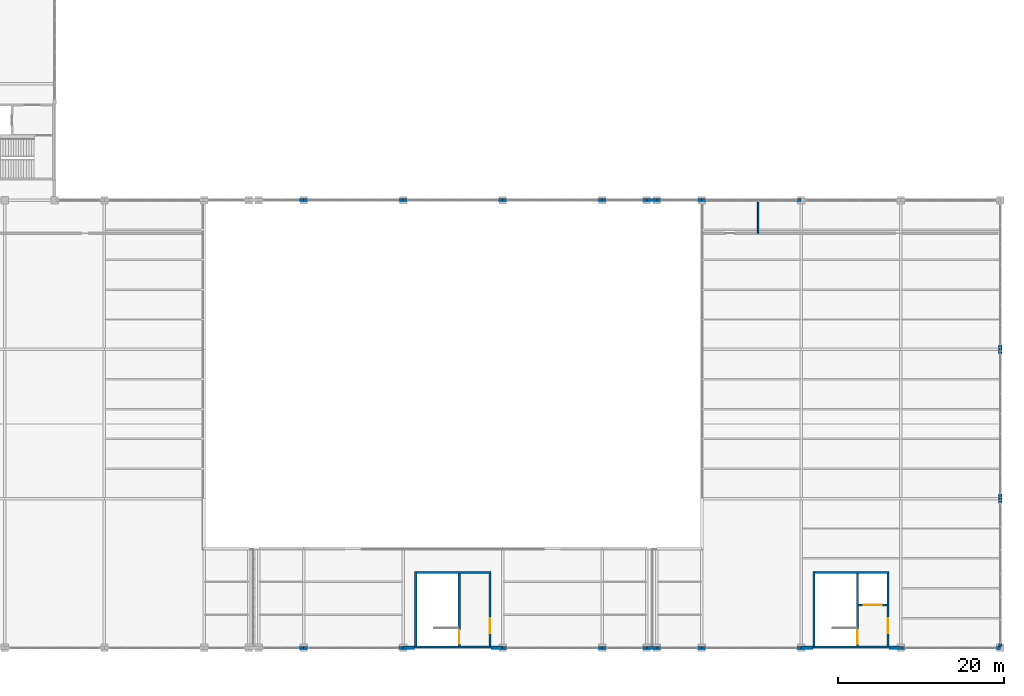
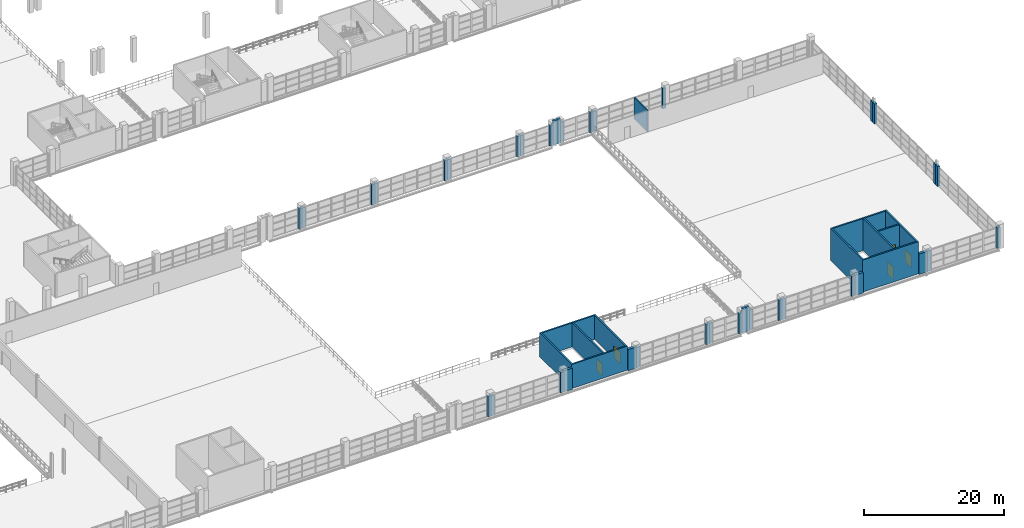
# One storey, part 145 of 158: 49 walls, 5 doors, 5 openings.
"""IFC4 building model written with IfcOpenShell, lengths in metres."""

from ifc_helpers import new_model, si_unit, direction, frame, frame_2d, origin, place, context, subcontext, project, spatial, rectangle, extrude, material, layer, layer_set, type_object, element, fill, save


model = new_model("IFC4")

# Units and contexts
model_context = context("Model", 3, precision=1e-05, world=origin(), true_north=direction((0.0, 1.0)))
body_context = subcontext(model_context, "Body", "Model", "MODEL_VIEW")
ifc_project = project(units=[si_unit("LENGTHUNIT", "METRE"), si_unit("AREAUNIT", "SQUARE_METRE"), si_unit("VOLUMEUNIT", "CUBIC_METRE"), si_unit("PLANEANGLEUNIT", "RADIAN"), si_unit("MASSUNIT", "GRAM", prefix="KILO")], contexts=[model_context])

# Site, building, storey
site_placement = place(None, origin())
site = spatial("IfcSite", under=ifc_project, at=site_placement, CompositionType="ELEMENT")
building_placement = place(site_placement, origin())
building = spatial("IfcBuilding", under=site, at=building_placement, Name="Zilviju Railside Exhibition Hall", CompositionType="ELEMENT")
storey_placement = place(building_placement, frame((0.0, 0.0, 4.199951171875)))
storey = spatial("IfcBuildingStorey", under=building, at=storey_placement, Name="L02", CompositionType="ELEMENT", Elevation=4.199951171875)

# Walls
ifc_material_1 = material(Name="Concrete C35/45", Category="concrete")
ifc_layer_1 = layer(ifc_material_1, 0.25)
ifc_layer_set_1 = layer_set([ifc_layer_1], Name="Concrete C35/45")
wall_type_1 = type_object("IfcWallType", Name="WL-CORE-250", PredefinedType="SHEAR", material=ifc_layer_set_1)
wall_1_placement = place(storey_placement, frame((145.52490234375, 0.0, 0.0), z_axis=(0.0, 0.0, 1.0), x_axis=(0.0, 1.0, 0.0)))
element("IfcWall", 1, at=wall_1_placement, inside=storey, type_object=wall_type_1, Name="Core C02 South Hall Mid Stairwell Outer Wall L02", PredefinedType="SHEAR", context=body_context, shape_type="SweptSolid", body=[
    extrude(rectangle(XDim=9.199951171875, YDim=0.25, at=frame_2d((4.60009765625, 0.0))), origin(), (0.0, 0.0, 1.0), 4.199951171875),
])
wall_2_placement = place(storey_placement, frame((145.39990234375, 9.074951171875, 0.0), z_axis=(0.0, 0.0, 1.0), x_axis=(1.0, 0.0, 0.0)))
element("IfcWall", 2, at=wall_2_placement, inside=storey, type_object=wall_type_1, Name="Core C02 South Hall Mid Core Rear Wall L02", PredefinedType="SHEAR", context=body_context, shape_type="SweptSolid", body=[
    extrude(rectangle(XDim=9.2001953125, YDim=0.25, at=frame_2d((4.60009765625, 0.0))), origin(), (0.0, 0.0, 1.0), 4.199951171875),
])

# Wall, opening, door
wall_3_placement = place(storey_placement, frame((154.47509765625, 0.0, 0.0), z_axis=(0.0, 0.0, 1.0), x_axis=(0.0, 1.0, 0.0)))
wall_3 = element("IfcWall", 3, at=wall_3_placement, inside=storey, type_object=wall_type_1, Name="Core C02 South Hall Mid Lobby Side Wall L02", PredefinedType="SHEAR", context=body_context, shape_type="SweptSolid", body=[
    extrude(rectangle(XDim=9.199951171875, YDim=0.25, at=frame_2d((4.60009765625, 0.0))), origin(), (0.0, 0.0, 1.0), 4.199951171875),
])
opening_1_placement = place(wall_3_placement, frame((1.800048828125, 0.0, 0.0)))
opening_1 = element("IfcOpeningElement", 4, at=opening_1_placement, cuts=wall_3, Name="Opening FD-02", PredefinedType="OPENING", context=body_context, shape_type="SweptSolid", body=[
    extrude(rectangle(XDim=1.800048828125, YDim=2.14990234375, at=frame_2d((0.89990234375, 1.074951171875))), frame((0.0, 0.135009765625, 0.0), z_axis=(0.0, -1.0, 0.0), x_axis=(1.0, 0.0, 0.0)), (0.0, 0.0, 1.0), 0.27001953125),
])
ifc_material_2 = material(Name="Self-closing glazed steel core lobby fire door EI 60", Category="steel")
door_type_1 = type_object("IfcDoorType", Name="DR-LOBBY-180x215", OperationType="NOTDEFINED", PredefinedType="DOOR", material=ifc_material_2)
door_1_placement = place(opening_1_placement, origin())
door_1 = element("IfcDoor", 5, at=door_1_placement, inside=storey, type_object=door_type_1, Name="Core C02 South Hall Mid Lobby Fire Door L02", OperationType="DOUBLE_DOOR_SINGLE_SWING", OverallHeight=2.14990234375, OverallWidth=1.800048828125, PredefinedType="DOOR", context=body_context, shape_type="SweptSolid", body=[
    extrude(rectangle(XDim=1.800048828125, YDim=2.14990234375, at=frame_2d((0.89990234375, 1.074951171875))), frame((0.0, 0.02490234375, 0.0), z_axis=(0.0, -1.0, 0.0), x_axis=(1.0, 0.0, 0.0)), (0.0, 0.0, 1.0), 0.050048828125),
])
fill(opening_1, door_1)

wall_4_placement = place(storey_placement, frame((150.77490234375, 0.25, 0.0), z_axis=(0.0, 0.0, 1.0), x_axis=(0.0, 1.0, 0.0)))
wall_4 = element("IfcWall", 6, at=wall_4_placement, inside=storey, type_object=wall_type_1, Name="Core C02 South Hall Mid Stairwell Partition Wall L02", PredefinedType="SHEAR", context=body_context, shape_type="SweptSolid", body=[
    extrude(rectangle(XDim=8.699951171875, YDim=0.25, at=frame_2d((4.35009765625, 0.0))), origin(), (0.0, 0.0, 1.0), 4.199951171875),
])
opening_2_placement = place(wall_4_placement, frame((0.25, 0.0, 0.0)))
opening_2 = element("IfcOpeningElement", 7, at=opening_2_placement, cuts=wall_4, Name="Opening FD-01", PredefinedType="OPENING", context=body_context, shape_type="SweptSolid", body=[
    extrude(rectangle(XDim=1.64990234375, YDim=2.10009765625, at=frame_2d((0.824951171875, 1.050048828125))), frame((0.0, 0.135009765625, 0.0), z_axis=(0.0, -1.0, 0.0), x_axis=(1.0, 0.0, 0.0)), (0.0, 0.0, 1.0), 0.27001953125),
])
ifc_material_3 = material(Name="Self-closing steel stair enclosure fire door EI 60", Category="steel")
door_type_2 = type_object("IfcDoorType", Name="DR-STAIR-165x210", OperationType="NOTDEFINED", PredefinedType="DOOR", material=ifc_material_3)
door_2_placement = place(opening_2_placement, origin())
door_2 = element("IfcDoor", 8, at=door_2_placement, inside=storey, type_object=door_type_2, Name="Core C02 South Hall Mid Protected Stair Door L02", OperationType="SINGLE_SWING_LEFT", OverallHeight=2.10009765625, OverallWidth=1.64990234375, PredefinedType="DOOR", context=body_context, shape_type="SweptSolid", body=[
    extrude(rectangle(XDim=1.64990234375, YDim=2.10009765625, at=frame_2d((0.824951171875, 1.050048828125))), frame((0.0, 0.02490234375, 0.0), z_axis=(0.0, -1.0, 0.0), x_axis=(1.0, 0.0, 0.0)), (0.0, 0.0, 1.0), 0.050048828125),
])
fill(opening_2, door_2)

# Walls
wall_5_placement = place(storey_placement, frame((193.52490234375, 0.0, 0.0), z_axis=(0.0, 0.0, 1.0), x_axis=(0.0, 1.0, 0.0)))
element("IfcWall", 9, at=wall_5_placement, inside=storey, type_object=wall_type_1, Name="Core C03 South Hall East Stairwell Outer Wall L02", PredefinedType="SHEAR", context=body_context, shape_type="SweptSolid", body=[
    extrude(rectangle(XDim=9.199951171875, YDim=0.25, at=frame_2d((4.60009765625, 0.0))), origin(), (0.0, 0.0, 1.0), 5.60009765625),
])
wall_6_placement = place(storey_placement, frame((193.39990234375, 9.074951171875, 0.0), z_axis=(0.0, 0.0, 1.0), x_axis=(1.0, 0.0, 0.0)))
element("IfcWall", 10, at=wall_6_placement, inside=storey, type_object=wall_type_1, Name="Core C03 South Hall East Core Rear Wall L02", PredefinedType="SHEAR", context=body_context, shape_type="SweptSolid", body=[
    extrude(rectangle(XDim=9.2001953125, YDim=0.25, at=frame_2d((4.60009765625, 0.0))), origin(), (0.0, 0.0, 1.0), 5.60009765625),
])

# Wall, opening, door
wall_7_placement = place(storey_placement, frame((202.47509765625, 0.0, 0.0), z_axis=(0.0, 0.0, 1.0), x_axis=(0.0, 1.0, 0.0)))
wall_7 = element("IfcWall", 11, at=wall_7_placement, inside=storey, type_object=wall_type_1, Name="Core C03 South Hall East Lobby Side Wall L02", PredefinedType="SHEAR", context=body_context, shape_type="SweptSolid", body=[
    extrude(rectangle(XDim=9.199951171875, YDim=0.25, at=frame_2d((4.60009765625, 0.0))), origin(), (0.0, 0.0, 1.0), 5.60009765625),
])
opening_3_placement = place(wall_7_placement, frame((1.800048828125, 0.0, 0.0)))
opening_3 = element("IfcOpeningElement", 12, at=opening_3_placement, cuts=wall_7, Name="Opening FD-02", PredefinedType="OPENING", context=body_context, shape_type="SweptSolid", body=[
    extrude(rectangle(XDim=1.800048828125, YDim=2.14990234375, at=frame_2d((0.89990234375, 1.074951171875))), frame((0.0, 0.135009765625, 0.0), z_axis=(0.0, -1.0, 0.0), x_axis=(1.0, 0.0, 0.0)), (0.0, 0.0, 1.0), 0.27001953125),
])
door_3_placement = place(opening_3_placement, origin())
door_3 = element("IfcDoor", 13, at=door_3_placement, inside=storey, type_object=door_type_1, Name="Core C03 South Hall East Lobby Fire Door L02", OperationType="DOUBLE_DOOR_SINGLE_SWING", OverallHeight=2.14990234375, OverallWidth=1.800048828125, PredefinedType="DOOR", context=body_context, shape_type="SweptSolid", body=[
    extrude(rectangle(XDim=1.800048828125, YDim=2.14990234375, at=frame_2d((0.89990234375, 1.074951171875))), frame((0.0, 0.02490234375, 0.0), z_axis=(0.0, -1.0, 0.0), x_axis=(1.0, 0.0, 0.0)), (0.0, 0.0, 1.0), 0.050048828125),
])
fill(opening_3, door_3)

wall_8_placement = place(storey_placement, frame((198.77490234375, 0.25, 0.0), z_axis=(0.0, 0.0, 1.0), x_axis=(0.0, 1.0, 0.0)))
wall_8 = element("IfcWall", 14, at=wall_8_placement, inside=storey, type_object=wall_type_1, Name="Core C03 South Hall East Stairwell Partition Wall L02", PredefinedType="SHEAR", context=body_context, shape_type="SweptSolid", body=[
    extrude(rectangle(XDim=8.699951171875, YDim=0.25, at=frame_2d((4.35009765625, 0.0))), origin(), (0.0, 0.0, 1.0), 5.60009765625),
])
opening_4_placement = place(wall_8_placement, frame((0.25, 0.0, 0.0)))
opening_4 = element("IfcOpeningElement", 15, at=opening_4_placement, cuts=wall_8, Name="Opening FD-01", PredefinedType="OPENING", context=body_context, shape_type="SweptSolid", body=[
    extrude(rectangle(XDim=1.64990234375, YDim=2.10009765625, at=frame_2d((0.824951171875, 1.050048828125))), frame((0.0, 0.135009765625, 0.0), z_axis=(0.0, -1.0, 0.0), x_axis=(1.0, 0.0, 0.0)), (0.0, 0.0, 1.0), 0.27001953125),
])
door_4_placement = place(opening_4_placement, origin())
door_4 = element("IfcDoor", 16, at=door_4_placement, inside=storey, type_object=door_type_2, Name="Core C03 South Hall East Protected Stair Door L02", OperationType="SINGLE_SWING_LEFT", OverallHeight=2.10009765625, OverallWidth=1.64990234375, PredefinedType="DOOR", context=body_context, shape_type="SweptSolid", body=[
    extrude(rectangle(XDim=1.64990234375, YDim=2.10009765625, at=frame_2d((0.824951171875, 1.050048828125))), frame((0.0, 0.02490234375, 0.0), z_axis=(0.0, -1.0, 0.0), x_axis=(1.0, 0.0, 0.0)), (0.0, 0.0, 1.0), 0.050048828125),
])
fill(opening_4, door_4)

wall_9_placement = place(storey_placement, frame((198.89990234375, 5.175048828125, 0.0), z_axis=(0.0, 0.0, 1.0), x_axis=(1.0, 0.0, 0.0)))
wall_9 = element("IfcWall", 17, at=wall_9_placement, inside=storey, type_object=wall_type_1, Name="Core C03 South Hall East Lift Shaft Front Wall L02", PredefinedType="SHEAR", context=body_context, shape_type="SweptSolid", body=[
    extrude(rectangle(XDim=3.4501953125, YDim=0.25, at=frame_2d((1.72509765625, 0.0))), origin(), (0.0, 0.0, 1.0), 5.60009765625),
])
opening_5_placement = place(wall_9_placement, frame((0.625, 0.0, 0.0)))
opening_5 = element("IfcOpeningElement", 18, at=opening_5_placement, cuts=wall_9, Name="Opening LD-02", PredefinedType="OPENING", context=body_context, shape_type="SweptSolid", body=[
    extrude(rectangle(XDim=2.199951171875, YDim=2.35009765625, at=frame_2d((1.10009765625, 1.175048828125))), frame((0.0, 0.135009765625, 0.0), z_axis=(0.0, -1.0, 0.0), x_axis=(1.0, 0.0, 0.0)), (0.0, 0.0, 1.0), 0.27001953125),
])
ifc_material_4 = material(Name="Heavy freight lift sliding landing door EI 60", Category="wood")
door_type_3 = type_object("IfcDoorType", Name="DR-LIFT-220x235", OperationType="NOTDEFINED", PredefinedType="DOOR", material=ifc_material_4)
door_5_placement = place(opening_5_placement, origin())
door_5 = element("IfcDoor", 19, at=door_5_placement, inside=storey, type_object=door_type_3, Name="Lift Landing Door LF-01 L02", OperationType="SLIDING_TO_LEFT", OverallHeight=2.35009765625, OverallWidth=2.199951171875, PredefinedType="DOOR", context=body_context, shape_type="SweptSolid", body=[
    extrude(rectangle(XDim=2.199951171875, YDim=2.35009765625, at=frame_2d((1.10009765625, 1.175048828125))), frame((0.0, 0.02490234375, 0.0), z_axis=(0.0, -1.0, 0.0), x_axis=(1.0, 0.0, 0.0)), (0.0, 0.0, 1.0), 0.050048828125),
])
fill(opening_5, door_5)

# Walls
ifc_material_5 = material(Name="Concrete C40/50", Category="concrete")
ifc_layer_2 = layer(ifc_material_5, 0.25)
ifc_layer_set_2 = layer_set([ifc_layer_2], Name="Concrete C40/50")
wall_type_2 = type_object("IfcWallType", Name="WL-CORE-300", PredefinedType="SHEAR", material=ifc_layer_set_2)
wall_10_placement = place(storey_placement, frame((154.60009765625, 0.125, 0.0), z_axis=(0.0, 0.0, 1.0), x_axis=(-1.0, 0.0, 0.0)))
element("IfcWall", 20, at=wall_10_placement, inside=storey, type_object=wall_type_2, Name="Core C02 South Hall Mid Exterior Core Wall L02", PredefinedType="SHEAR", context=body_context, shape_type="SweptSolid", body=[
    extrude(rectangle(XDim=9.2001953125, YDim=0.25, at=frame_2d((4.60009765625, 0.0))), origin(), (0.0, 0.0, 1.0), 4.199951171875),
])
wall_11_placement = place(storey_placement, frame((202.60009765625, 0.125, 0.0), z_axis=(0.0, 0.0, 1.0), x_axis=(-1.0, 0.0, 0.0)))
element("IfcWall", 21, at=wall_11_placement, inside=storey, type_object=wall_type_2, Name="Core C03 South Hall East Exterior Core Wall L02", PredefinedType="SHEAR", context=body_context, shape_type="SweptSolid", body=[
    extrude(rectangle(XDim=9.2001953125, YDim=0.25, at=frame_2d((4.60009765625, 0.0))), origin(), (0.0, 0.0, 1.0), 5.60009765625),
])
ifc_material_6 = material(Name="Insulated courtyard masonry wall", Category="masonry")
ifc_layer_3 = layer(ifc_material_6, 0.360107421875)
ifc_layer_set_3 = layer_set([ifc_layer_3], Name="Insulated courtyard masonry wall")
wall_type_3 = type_object("IfcWallType", Name="WL-EXT-360", PredefinedType="SOLIDWALL", material=ifc_layer_set_3)
for number, where, z_axis, x_axis, name in (
    (22, (174.60009765625, 0.0, 0.0), (0.0, 0.0, 1.0), (-1.0, 0.0, 0.0), "Exterior Facade Wall L02 South 0598"),
    (23, (173.39990234375, 54.0, 0.0), (0.0, 0.0, 1.0), (1.0, 0.0, 0.0), "Exterior Facade Wall L02 North 0599"),
):
    element("IfcWall", number, at=place(storey_placement, frame(where, z_axis=z_axis, x_axis=x_axis)), inside=storey, type_object=wall_type_3, Name=name, PredefinedType="SOLIDWALL", context=body_context, shape_type="SweptSolid", body=[
        extrude(rectangle(XDim=1.2001953125, YDim=0.360107421875, at=frame_2d((0.60009765625, 0.0))), origin(), (0.0, 0.0, 1.0), 4.199951171875),
    ])
ifc_material_7 = material(Name="Insulated cream-brick upper facade wall", Category="masonry")
ifc_layer_4 = layer(ifc_material_7, 0.3798828125)
ifc_layer_set_4 = layer_set([ifc_layer_4], Name="Insulated cream-brick upper facade wall")
wall_type_4 = type_object("IfcWallType", Name="WL-EXT-380", PredefinedType="SOLIDWALL", material=ifc_layer_set_4)
wall_12_placement = place(storey_placement, frame((132.0, 0.0, 0.0), z_axis=(0.0, 0.0, 1.0), x_axis=(-1.0, 0.0, 0.0)))
element("IfcWall", 24, at=wall_12_placement, inside=storey, type_object=wall_type_4, Name="Curtain-Wall Jamb Closure Pier L02 0048", PredefinedType="SOLIDWALL", context=body_context, shape_type="SweptSolid", body=[
    extrude(rectangle(XDim=0.550048828125, YDim=0.3798828125, at=frame_2d((0.27490234375, 0.0))), origin(), (0.0, 0.0, 1.0), 3.56005859375),
])
for number, where, z_axis, x_axis, name in (
    (25, (132.550048828125, 0.0, 0.0), (0.0, 0.0, 1.0), (-1.0, 0.0, 0.0), "Curtain-Wall Jamb Closure Pier L02 0049"),
    (26, (143.998046875, 0.0, 0.0), (0.0, 0.0, 1.0), (-1.0, 0.0, 0.0), "Curtain-Wall Jamb Closure Pier L02 0050"),
    (27, (156.550048828125, 0.0, 0.0), (0.0, 0.0, 1.0), (-1.0, 0.0, 0.0), "Curtain-Wall Jamb Closure Pier L02 0053"),
):
    element("IfcWall", number, at=place(storey_placement, frame(where, z_axis=z_axis, x_axis=x_axis)), inside=storey, type_object=wall_type_4, Name=name, PredefinedType="SOLIDWALL", context=body_context, shape_type="SweptSolid", body=[
        extrude(rectangle(XDim=0.548095703125, YDim=0.3798828125, at=frame_2d((0.27392578125, 0.0))), origin(), (0.0, 0.0, 1.0), 3.56005859375),
    ])
wall_13_placement = place(storey_placement, frame((168.0, 0.0, 0.0), z_axis=(0.0, 0.0, 1.0), x_axis=(-1.0, 0.0, 0.0)))
element("IfcWall", 28, at=wall_13_placement, inside=storey, type_object=wall_type_4, Name="Curtain-Wall Jamb Closure Pier L02 0054", PredefinedType="SOLIDWALL", context=body_context, shape_type="SweptSolid", body=[
    extrude(rectangle(XDim=0.550048828125, YDim=0.3798828125, at=frame_2d((0.27490234375, 0.0))), origin(), (0.0, 0.0, 1.0), 3.56005859375),
])
wall_14_placement = place(storey_placement, frame((168.550048828125, 0.0, 0.0), z_axis=(0.0, 0.0, 1.0), x_axis=(-1.0, 0.0, 0.0)))
element("IfcWall", 29, at=wall_14_placement, inside=storey, type_object=wall_type_4, Name="Curtain-Wall Jamb Closure Pier L02 0055", PredefinedType="SOLIDWALL", context=body_context, shape_type="SweptSolid", body=[
    extrude(rectangle(XDim=0.548095703125, YDim=0.3798828125, at=frame_2d((0.27392578125, 0.0))), origin(), (0.0, 0.0, 1.0), 3.56005859375),
])
for number, where, z_axis, x_axis, name in (
    (30, (173.39794921875, 0.0, 0.0), (0.0, 0.0, 1.0), (-1.0, 0.0, 0.0), "Curtain-Wall Jamb Closure Pier L02 0056"),
    (31, (175.14990234375, 0.0, 0.0), (0.0, 0.0, 1.0), (-1.0, 0.0, 0.0), "Curtain-Wall Jamb Closure Pier L02 0057"),
):
    element("IfcWall", number, at=place(storey_placement, frame(where, z_axis=z_axis, x_axis=x_axis)), inside=storey, type_object=wall_type_4, Name=name, PredefinedType="SOLIDWALL", context=body_context, shape_type="SweptSolid", body=[
        extrude(rectangle(XDim=0.5478515625, YDim=0.3798828125, at=frame_2d((0.27392578125, 0.0))), origin(), (0.0, 0.0, 1.0), 3.56005859375),
    ])
wall_15_placement = place(storey_placement, frame((180.0, 0.0, 0.0), z_axis=(0.0, 0.0, 1.0), x_axis=(-1.0, 0.0, 0.0)))
element("IfcWall", 32, at=wall_15_placement, inside=storey, type_object=wall_type_4, Name="Curtain-Wall Jamb Closure Pier L02 0058", PredefinedType="SOLIDWALL", context=body_context, shape_type="SweptSolid", body=[
    extrude(rectangle(XDim=0.550048828125, YDim=0.3798828125, at=frame_2d((0.27490234375, 0.0))), origin(), (0.0, 0.0, 1.0), 3.56005859375),
])
for number, where, z_axis, x_axis, name in (
    (33, (180.550048828125, 0.0, 0.0), (0.0, 0.0, 1.0), (-1.0, 0.0, 0.0), "Curtain-Wall Jamb Closure Pier L02 0059"),
    (34, (191.998046875, 0.0, 0.0), (0.0, 0.0, 1.0), (-1.0, 0.0, 0.0), "Curtain-Wall Jamb Closure Pier L02 0060"),
    (35, (204.550048828125, 0.0, 0.0), (0.0, 0.0, 1.0), (-1.0, 0.0, 0.0), "Curtain-Wall Jamb Closure Pier L02 0063"),
):
    element("IfcWall", number, at=place(storey_placement, frame(where, z_axis=z_axis, x_axis=x_axis)), inside=storey, type_object=wall_type_4, Name=name, PredefinedType="SOLIDWALL", context=body_context, shape_type="SweptSolid", body=[
        extrude(rectangle(XDim=0.548095703125, YDim=0.3798828125, at=frame_2d((0.27392578125, 0.0))), origin(), (0.0, 0.0, 1.0), 3.56005859375),
    ])
for number, where, z_axis, x_axis, name in (
    (36, (216.0, 0.0, 0.0), (0.0, 0.0, 1.0), (-1.0, 0.0, 0.0), "Curtain-Wall Jamb Closure Pier L02 0064"),
    (37, (131.449951171875, 54.0, 0.0), (0.0, 0.0, 1.0), (1.0, 0.0, 0.0), "Curtain-Wall Jamb Closure Pier L02 0072"),
):
    element("IfcWall", number, at=place(storey_placement, frame(where, z_axis=z_axis, x_axis=x_axis)), inside=storey, type_object=wall_type_4, Name=name, PredefinedType="SOLIDWALL", context=body_context, shape_type="SweptSolid", body=[
        extrude(rectangle(XDim=0.550048828125, YDim=0.3798828125, at=frame_2d((0.27490234375, 0.0))), origin(), (0.0, 0.0, 1.0), 3.56005859375),
    ])
wall_16_placement = place(storey_placement, frame((132.001953125, 54.0, 0.0), z_axis=(0.0, 0.0, 1.0), x_axis=(1.0, 0.0, 0.0)))
element("IfcWall", 38, at=wall_16_placement, inside=storey, type_object=wall_type_4, Name="Curtain-Wall Jamb Closure Pier L02 0073", PredefinedType="SOLIDWALL", context=body_context, shape_type="SweptSolid", body=[
    extrude(rectangle(XDim=0.548095703125, YDim=0.3798828125, at=frame_2d((0.27392578125, 0.0))), origin(), (0.0, 0.0, 1.0), 3.56005859375),
])
wall_17_placement = place(storey_placement, frame((143.449951171875, 54.0, 0.0), z_axis=(0.0, 0.0, 1.0), x_axis=(1.0, 0.0, 0.0)))
element("IfcWall", 39, at=wall_17_placement, inside=storey, type_object=wall_type_4, Name="Curtain-Wall Jamb Closure Pier L02 0074", PredefinedType="SOLIDWALL", context=body_context, shape_type="SweptSolid", body=[
    extrude(rectangle(XDim=0.550048828125, YDim=0.3798828125, at=frame_2d((0.27490234375, 0.0))), origin(), (0.0, 0.0, 1.0), 3.56005859375),
])
wall_18_placement = place(storey_placement, frame((144.001953125, 54.0, 0.0), z_axis=(0.0, 0.0, 1.0), x_axis=(1.0, 0.0, 0.0)))
element("IfcWall", 40, at=wall_18_placement, inside=storey, type_object=wall_type_4, Name="Curtain-Wall Jamb Closure Pier L02 0075", PredefinedType="SOLIDWALL", context=body_context, shape_type="SweptSolid", body=[
    extrude(rectangle(XDim=0.548095703125, YDim=0.3798828125, at=frame_2d((0.27392578125, 0.0))), origin(), (0.0, 0.0, 1.0), 3.56005859375),
])
wall_19_placement = place(storey_placement, frame((155.449951171875, 54.0, 0.0), z_axis=(0.0, 0.0, 1.0), x_axis=(1.0, 0.0, 0.0)))
element("IfcWall", 41, at=wall_19_placement, inside=storey, type_object=wall_type_4, Name="Curtain-Wall Jamb Closure Pier L02 0076", PredefinedType="SOLIDWALL", context=body_context, shape_type="SweptSolid", body=[
    extrude(rectangle(XDim=0.550048828125, YDim=0.3798828125, at=frame_2d((0.27490234375, 0.0))), origin(), (0.0, 0.0, 1.0), 3.56005859375),
])
wall_20_placement = place(storey_placement, frame((156.001953125, 54.0, 0.0), z_axis=(0.0, 0.0, 1.0), x_axis=(1.0, 0.0, 0.0)))
element("IfcWall", 42, at=wall_20_placement, inside=storey, type_object=wall_type_4, Name="Curtain-Wall Jamb Closure Pier L02 0077", PredefinedType="SOLIDWALL", context=body_context, shape_type="SweptSolid", body=[
    extrude(rectangle(XDim=0.548095703125, YDim=0.3798828125, at=frame_2d((0.27392578125, 0.0))), origin(), (0.0, 0.0, 1.0), 3.56005859375),
])
wall_21_placement = place(storey_placement, frame((167.449951171875, 54.0, 0.0), z_axis=(0.0, 0.0, 1.0), x_axis=(1.0, 0.0, 0.0)))
element("IfcWall", 43, at=wall_21_placement, inside=storey, type_object=wall_type_4, Name="Curtain-Wall Jamb Closure Pier L02 0078", PredefinedType="SOLIDWALL", context=body_context, shape_type="SweptSolid", body=[
    extrude(rectangle(XDim=0.550048828125, YDim=0.3798828125, at=frame_2d((0.27490234375, 0.0))), origin(), (0.0, 0.0, 1.0), 3.56005859375),
])
wall_22_placement = place(storey_placement, frame((168.001953125, 54.0, 0.0), z_axis=(0.0, 0.0, 1.0), x_axis=(1.0, 0.0, 0.0)))
element("IfcWall", 44, at=wall_22_placement, inside=storey, type_object=wall_type_4, Name="Curtain-Wall Jamb Closure Pier L02 0079", PredefinedType="SOLIDWALL", context=body_context, shape_type="SweptSolid", body=[
    extrude(rectangle(XDim=0.548095703125, YDim=0.3798828125, at=frame_2d((0.27392578125, 0.0))), origin(), (0.0, 0.0, 1.0), 3.56005859375),
])
for number, where, z_axis, x_axis, name in (
    (45, (172.85009765625, 54.0, 0.0), (0.0, 0.0, 1.0), (1.0, 0.0, 0.0), "Curtain-Wall Jamb Closure Pier L02 0080"),
    (46, (174.60205078125, 54.0, 0.0), (0.0, 0.0, 1.0), (1.0, 0.0, 0.0), "Curtain-Wall Jamb Closure Pier L02 0081"),
):
    element("IfcWall", number, at=place(storey_placement, frame(where, z_axis=z_axis, x_axis=x_axis)), inside=storey, type_object=wall_type_4, Name=name, PredefinedType="SOLIDWALL", context=body_context, shape_type="SweptSolid", body=[
        extrude(rectangle(XDim=0.5478515625, YDim=0.3798828125, at=frame_2d((0.27392578125, 0.0))), origin(), (0.0, 0.0, 1.0), 3.56005859375),
    ])
wall_23_placement = place(storey_placement, frame((179.449951171875, 54.0, 0.0), z_axis=(0.0, 0.0, 1.0), x_axis=(1.0, 0.0, 0.0)))
element("IfcWall", 47, at=wall_23_placement, inside=storey, type_object=wall_type_4, Name="Curtain-Wall Jamb Closure Pier L02 0082", PredefinedType="SOLIDWALL", context=body_context, shape_type="SweptSolid", body=[
    extrude(rectangle(XDim=0.550048828125, YDim=0.3798828125, at=frame_2d((0.27490234375, 0.0))), origin(), (0.0, 0.0, 1.0), 3.56005859375),
])
wall_24_placement = place(storey_placement, frame((180.001953125, 54.0, 0.0), z_axis=(0.0, 0.0, 1.0), x_axis=(1.0, 0.0, 0.0)))
element("IfcWall", 48, at=wall_24_placement, inside=storey, type_object=wall_type_4, Name="Curtain-Wall Jamb Closure Pier L02 0083", PredefinedType="SOLIDWALL", context=body_context, shape_type="SweptSolid", body=[
    extrude(rectangle(XDim=0.548095703125, YDim=0.3798828125, at=frame_2d((0.27392578125, 0.0))), origin(), (0.0, 0.0, 1.0), 3.56005859375),
])
wall_25_placement = place(storey_placement, frame((191.449951171875, 54.0, 0.0), z_axis=(0.0, 0.0, 1.0), x_axis=(1.0, 0.0, 0.0)))
element("IfcWall", 49, at=wall_25_placement, inside=storey, type_object=wall_type_4, Name="Curtain-Wall Jamb Closure Pier L02 0084", PredefinedType="SOLIDWALL", context=body_context, shape_type="SweptSolid", body=[
    extrude(rectangle(XDim=0.550048828125, YDim=0.3798828125, at=frame_2d((0.27490234375, 0.0))), origin(), (0.0, 0.0, 1.0), 3.56005859375),
])
wall_26_placement = place(storey_placement, frame((216.0, 0.550048828125, 0.0), z_axis=(0.0, 0.0, 1.0), x_axis=(0.0, -1.0, 0.0)))
element("IfcWall", 50, at=wall_26_placement, inside=storey, type_object=wall_type_4, Name="Curtain-Wall Jamb Closure Pier L02 0089", PredefinedType="SOLIDWALL", context=body_context, shape_type="SweptSolid", body=[
    extrude(rectangle(XDim=0.358154296875, YDim=0.3798828125, at=frame_2d((0.17919921875, 0.0))), origin(), (0.0, 0.0, 1.0), 3.47998046875),
])
wall_27_placement = place(storey_placement, frame((216.0, 18.0, 0.0), z_axis=(0.0, 0.0, 1.0), x_axis=(0.0, -1.0, 0.0)))
element("IfcWall", 51, at=wall_27_placement, inside=storey, type_object=wall_type_4, Name="Curtain-Wall Jamb Closure Pier L02 0090", PredefinedType="SOLIDWALL", context=body_context, shape_type="SweptSolid", body=[
    extrude(rectangle(XDim=0.550048828125, YDim=0.3798828125, at=frame_2d((0.27490234375, 0.0))), origin(), (0.0, 0.0, 1.0), 3.47998046875),
])
wall_28_placement = place(storey_placement, frame((216.0, 18.550048828125, 0.0), z_axis=(0.0, 0.0, 1.0), x_axis=(0.0, -1.0, 0.0)))
element("IfcWall", 52, at=wall_28_placement, inside=storey, type_object=wall_type_4, Name="Curtain-Wall Jamb Closure Pier L02 0091", PredefinedType="SOLIDWALL", context=body_context, shape_type="SweptSolid", body=[
    extrude(rectangle(XDim=0.548095703125, YDim=0.3798828125, at=frame_2d((0.27392578125, 0.0))), origin(), (0.0, 0.0, 1.0), 3.47998046875),
])
wall_29_placement = place(storey_placement, frame((216.0, 36.0, 0.0), z_axis=(0.0, 0.0, 1.0), x_axis=(0.0, -1.0, 0.0)))
element("IfcWall", 53, at=wall_29_placement, inside=storey, type_object=wall_type_4, Name="Curtain-Wall Jamb Closure Pier L02 0092", PredefinedType="SOLIDWALL", context=body_context, shape_type="SweptSolid", body=[
    extrude(rectangle(XDim=0.550048828125, YDim=0.3798828125, at=frame_2d((0.27490234375, 0.0))), origin(), (0.0, 0.0, 1.0), 3.47998046875),
])
wall_30_placement = place(storey_placement, frame((216.0, 36.550048828125, 0.0), z_axis=(0.0, 0.0, 1.0), x_axis=(0.0, -1.0, 0.0)))
element("IfcWall", 54, at=wall_30_placement, inside=storey, type_object=wall_type_4, Name="Curtain-Wall Jamb Closure Pier L02 0093", PredefinedType="SOLIDWALL", context=body_context, shape_type="SweptSolid", body=[
    extrude(rectangle(XDim=0.548095703125, YDim=0.3798828125, at=frame_2d((0.27392578125, 0.0))), origin(), (0.0, 0.0, 1.0), 3.47998046875),
])
ifc_material_8 = material(Name="Insulated Jugendstils ochre brick facade wall", Category="masonry")
ifc_layer_5 = layer(ifc_material_8, 0.419921875)
ifc_layer_set_5 = layer_set([ifc_layer_5], Name="Insulated Jugendstils ochre brick facade wall")
wall_type_5 = type_object("IfcWallType", Name="WL-EXT-420", PredefinedType="SOLIDWALL", material=ifc_layer_set_5)
for number, where, z_axis, x_axis, name in (
    (55, (145.39990234375, 0.0, 0.0), (0.0, 0.0, 1.0), (-1.0, 0.0, 0.0), "Exterior Facade Wall L02 South 0051"),
    (56, (156.0, 0.0, 0.0), (0.0, 0.0, 1.0), (-1.0, 0.0, 0.0), "Exterior Facade Wall L02 South 0052"),
):
    element("IfcWall", number, at=place(storey_placement, frame(where, z_axis=z_axis, x_axis=x_axis)), inside=storey, type_object=wall_type_5, Name=name, PredefinedType="SOLIDWALL", context=body_context, shape_type="SweptSolid", body=[
        extrude(rectangle(XDim=1.39990234375, YDim=0.419921875, at=frame_2d((0.699951171875, 0.0))), origin(), (0.0, 0.0, 1.0), 3.68994140625),
    ])
for number, where, z_axis, x_axis, name in (
    (57, (193.39990234375, 0.0, 0.0), (0.0, 0.0, 1.0), (-1.0, 0.0, 0.0), "Exterior Facade Wall L02 South 0061"),
    (58, (204.0, 0.0, 0.0), (0.0, 0.0, 1.0), (-1.0, 0.0, 0.0), "Exterior Facade Wall L02 South 0062"),
):
    element("IfcWall", number, at=place(storey_placement, frame(where, z_axis=z_axis, x_axis=x_axis)), inside=storey, type_object=wall_type_5, Name=name, PredefinedType="SOLIDWALL", context=body_context, shape_type="SweptSolid", body=[
        extrude(rectangle(XDim=1.39990234375, YDim=0.419921875, at=frame_2d((0.699951171875, 0.0))), origin(), (0.0, 0.0, 1.0), 3.570068359375),
    ])
ifc_material_9 = material(Name="Accessible WC sanitary chase wall", Category="masonry")
ifc_layer_6 = layer(ifc_material_9, 0.18994140625)
ifc_layer_set_6 = layer_set([ifc_layer_6], Name="Accessible WC sanitary chase wall")
wall_type_6 = type_object("IfcWallType", Name="WL-PLMB-190", PredefinedType="PLUMBINGWALL", material=ifc_layer_set_6)
wall_31_placement = place(storey_placement, frame((186.800048828125, 50.0, 0.0), z_axis=(0.0, 0.0, 1.0), x_axis=(0.0, 1.0, 0.0)))
element("IfcWall", 59, at=wall_31_placement, inside=storey, type_object=wall_type_6, Name="South Gallery East WC Divider", PredefinedType="PLUMBINGWALL", context=body_context, shape_type="SweptSolid", body=[
    extrude(rectangle(XDim=3.75, YDim=0.18994140625, at=frame_2d((1.875, 0.0))), origin(), (0.0, 0.0, 1.0), 3.719970703125),
])

save(model, "model.ifc")
